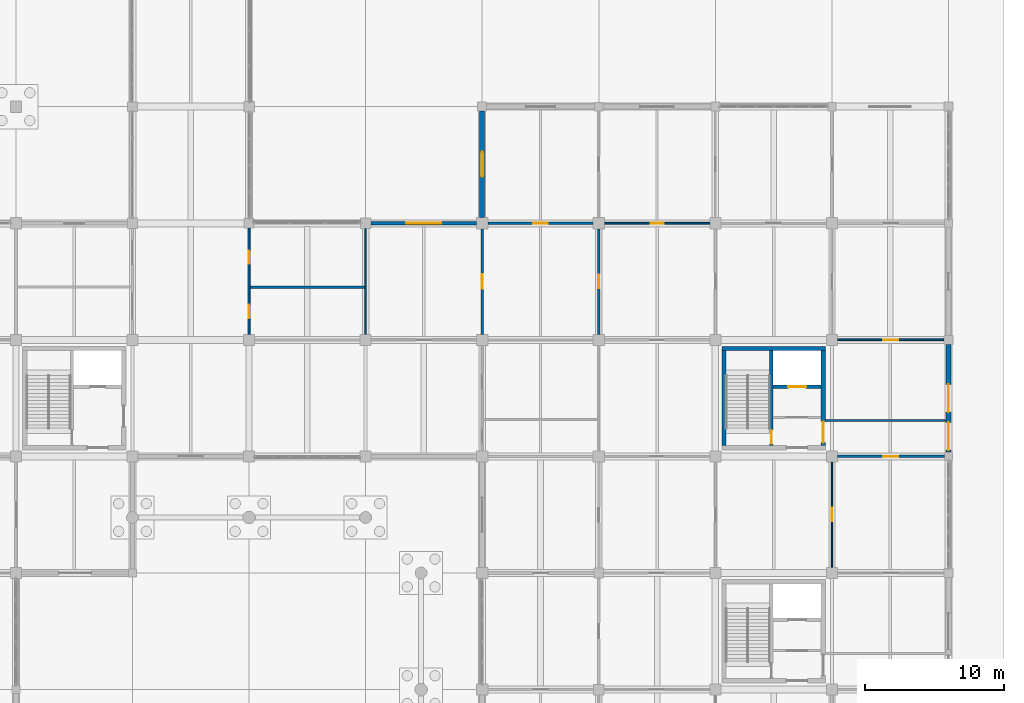
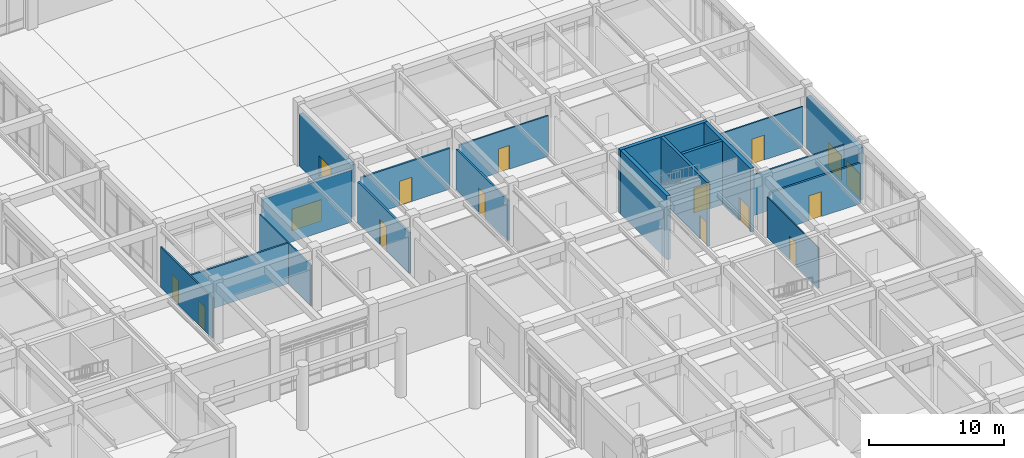
# One storey, part 80 of 91: 19 walls, 14 doors, 2 windows, 16 openings.
"""IFC4 building model written with IfcOpenShell, lengths in metres."""

from ifc_helpers import new_model, si_unit, direction, frame, frame_2d, origin, place, context, subcontext, project, spatial, rectangle, extrude, material, layer, layer_set, type_object, element, fill, save


model = new_model("IFC4")

# Units and contexts
model_context = context("Model", 3, precision=1e-05, world=origin(), true_north=direction((0.0, 1.0)))
body_context = subcontext(model_context, "Body", "Model", "MODEL_VIEW")
ifc_project = project(units=[si_unit("LENGTHUNIT", "METRE"), si_unit("AREAUNIT", "SQUARE_METRE"), si_unit("VOLUMEUNIT", "CUBIC_METRE"), si_unit("PLANEANGLEUNIT", "RADIAN"), si_unit("MASSUNIT", "GRAM", prefix="KILO")], contexts=[model_context])

# Site, building, storey
site_placement = place(None, origin())
site = spatial("IfcSite", under=ifc_project, at=site_placement, CompositionType="ELEMENT")
building_placement = place(site_placement, origin())
building = spatial("IfcBuilding", under=site, at=building_placement, Name="Porcellanite Civic Hall", CompositionType="ELEMENT")
storey_placement = place(building_placement, origin())
storey = spatial("IfcBuildingStorey", under=building, at=storey_placement, Name="L00", CompositionType="ELEMENT", Elevation=0.0)

# Wall, opening, door
ifc_material_1 = material(Name="Concrete N40 (40 MPa)", Category="concrete")
ifc_layer_1 = layer(ifc_material_1, 0.239990234375)
ifc_layer_set_1 = layer_set([ifc_layer_1], Name="Concrete N40 (40 MPa)")
wall_type_1 = type_object("IfcWallType", Name="CW-SH240", PredefinedType="SHEAR", material=ifc_layer_set_1)
wall_1_placement = place(storey_placement, frame((163.639892578125, 51.179931640625, 0.0), z_axis=(0.0, 0.0, 1.0), x_axis=(0.0, 1.0, 0.0)))
wall_1 = element("IfcWall", 1, at=wall_1_placement, inside=storey, type_object=wall_type_1, Name="Core divider C8 L00", PredefinedType="SHEAR", context=body_context, shape_type="SweptSolid", body=[
    extrude(rectangle(XDim=6.840087890625, YDim=0.239990234375, at=frame_2d((3.419921875, 0.0))), origin(), (0.0, 0.0, 1.0), 5.760009765625),
])
opening_1_placement = place(wall_1_placement, frame((0.1201171875, 0.0, 0.0)))
opening_1 = element("IfcOpeningElement", 2, at=opening_1_placement, cuts=wall_1, Name="Opening FD-C8-L00-ST", PredefinedType="OPENING", context=body_context, shape_type="SweptSolid", body=[
    extrude(rectangle(XDim=1.0, YDim=2.14990234375, at=frame_2d((0.5, 1.074951171875))), frame((0.0, 0.1201171875, 0.0), z_axis=(0.0, -1.0, 0.0), x_axis=(1.0, 0.0, 0.0)), (0.0, 0.0, 1.0), 0.239990234375),
])
ifc_material_2 = material(Name="Fire-rated solid-core hardwood timber", Category="wood")
door_type_1 = type_object("IfcDoorType", Name="DR-FD100", OperationType="NOTDEFINED", PredefinedType="DOOR", material=ifc_material_2)
door_1_placement = place(opening_1_placement, origin())
door_1 = element("IfcDoor", 3, at=door_1_placement, inside=storey, type_object=door_type_1, Name="Fire stair door FD-C8-L00-ST", OperationType="SINGLE_SWING_LEFT", OverallHeight=2.14990234375, OverallWidth=1.0, PredefinedType="DOOR", context=body_context, shape_type="SweptSolid", body=[
    extrude(rectangle(XDim=1.0, YDim=2.14990234375, at=frame_2d((0.5, 1.074951171875))), frame((0.0, 0.02490234375, 0.0), z_axis=(0.0, -1.0, 0.0), x_axis=(1.0, 0.0, 0.0)), (0.0, 0.0, 1.0), 0.050048828125),
])
fill(opening_1, door_1)

wall_2_placement = place(storey_placement, frame((163.760009765625, 55.419921875, 0.0), z_axis=(0.0, 0.0, 1.0), x_axis=(1.0, 0.0, 0.0)))
wall_2 = element("IfcWall", 4, at=wall_2_placement, inside=storey, type_object=wall_type_1, Name="Lift shaft wall C8 L00", PredefinedType="SHEAR", context=body_context, shape_type="SweptSolid", body=[
    extrude(rectangle(XDim=3.4599609375, YDim=0.239990234375, at=frame_2d((1.72998046875, 0.0))), origin(), (0.0, 0.0, 1.0), 5.760009765625),
])
opening_2_placement = place(wall_2_placement, frame((1.080078125, 0.0, 0.0)))
opening_2 = element("IfcOpeningElement", 5, at=opening_2_placement, cuts=wall_2, Name="Opening LD-08", PredefinedType="OPENING", context=body_context, shape_type="SweptSolid", body=[
    extrude(rectangle(XDim=1.300048828125, YDim=2.25, at=frame_2d((0.64990234375, 1.125))), frame((0.0, 0.1201171875, 0.0), z_axis=(0.0, -1.0, 0.0), x_axis=(1.0, 0.0, 0.0)), (0.0, 0.0, 1.0), 0.239990234375),
])
ifc_material_3 = material(Name="Brushed stainless steel 316", Category="steel")
door_type_2 = type_object("IfcDoorType", Name="DR-LD130", OperationType="DOUBLE_DOOR_SLIDING", PredefinedType="DOOR", material=ifc_material_3)
door_2_placement = place(opening_2_placement, origin())
door_2 = element("IfcDoor", 6, at=door_2_placement, inside=storey, type_object=door_type_2, Name="Lift landing sliding door LD-08 L00", OperationType="DOUBLE_DOOR_SLIDING", OverallHeight=2.25, OverallWidth=1.300048828125, PredefinedType="DOOR", context=body_context, shape_type="SweptSolid", body=[
    extrude(rectangle(XDim=1.300048828125, YDim=2.25, at=frame_2d((0.64990234375, 1.125))), frame((0.0, 0.02490234375, 0.0), z_axis=(0.0, -1.0, 0.0), x_axis=(1.0, 0.0, 0.0)), (0.0, 0.0, 1.0), 0.050048828125),
])
fill(opening_2, door_2)

# Walls
ifc_material_4 = material(Name="Concrete N40 (40 MPa)", Category="concrete")
ifc_layer_2 = layer(ifc_material_4, 0.300048828125)
ifc_layer_set_2 = layer_set([ifc_layer_2], Name="Concrete N40 (40 MPa)")
wall_type_2 = type_object("IfcWallType", Name="CW-SH300", PredefinedType="SHEAR", material=ifc_layer_set_2)
wall_3_placement = place(storey_placement, frame((160.22998046875, 51.179931640625, 0.0), z_axis=(0.0, 0.0, 1.0), x_axis=(0.0, 1.0, 0.0)))
element("IfcWall", 7, at=wall_3_placement, inside=storey, type_object=wall_type_2, Name="Core wall C8 L00 W", PredefinedType="SHEAR", context=body_context, shape_type="SweptSolid", body=[
    extrude(rectangle(XDim=6.840087890625, YDim=0.300048828125, at=frame_2d((3.419921875, 0.0))), origin(), (0.0, 0.0, 1.0), 5.760009765625),
])
wall_4_placement = place(storey_placement, frame((160.080078125, 58.169921875, 0.0), z_axis=(0.0, 0.0, 1.0), x_axis=(1.0, 0.0, 0.0)))
element("IfcWall", 8, at=wall_4_placement, inside=storey, type_object=wall_type_2, Name="Core wall C8 L00 N", PredefinedType="SHEAR", context=body_context, shape_type="SweptSolid", body=[
    extrude(rectangle(XDim=7.43994140625, YDim=0.300048828125, at=frame_2d((3.719970703125, 0.0))), origin(), (0.0, 0.0, 1.0), 5.760009765625),
])

# Wall, opening, door
wall_5_placement = place(storey_placement, frame((167.3701171875, 58.02001953125, 0.0), z_axis=(0.0, 0.0, 1.0), x_axis=(0.0, -1.0, 0.0)))
wall_5 = element("IfcWall", 9, at=wall_5_placement, inside=storey, type_object=wall_type_2, Name="Core wall C8 L00 E", PredefinedType="SHEAR", context=body_context, shape_type="SweptSolid", body=[
    extrude(rectangle(XDim=6.840087890625, YDim=0.300048828125, at=frame_2d((3.419921875, 0.0))), origin(), (0.0, 0.0, 1.0), 5.760009765625),
])
opening_3_placement = place(wall_5_placement, frame((5.1201171875, 0.0, 0.0)))
opening_3 = element("IfcOpeningElement", 10, at=opening_3_placement, cuts=wall_5, Name="Opening FD-C8-L00-EX", PredefinedType="OPENING", context=body_context, shape_type="SweptSolid", body=[
    extrude(rectangle(XDim=1.5, YDim=2.14990234375, at=frame_2d((0.75, 1.074951171875))), frame((0.0, 0.14990234375, 0.0), z_axis=(0.0, -1.0, 0.0), x_axis=(1.0, 0.0, 0.0)), (0.0, 0.0, 1.0), 0.300048828125),
])
ifc_material_5 = material(Name="Fire-rated steel and Georgian wired glass", Category="steel")
door_type_3 = type_object("IfcDoorType", Name="DR-FD150", OperationType="DOUBLE_DOOR_SINGLE_SWING", PredefinedType="DOOR", material=ifc_material_5)
door_3_placement = place(opening_3_placement, origin())
door_3 = element("IfcDoor", 11, at=door_3_placement, inside=storey, type_object=door_type_3, Name="Fire vestibule exit door FD-C8-L00-EX", OperationType="DOUBLE_DOOR_SINGLE_SWING", OverallHeight=2.14990234375, OverallWidth=1.5, PredefinedType="DOOR", context=body_context, shape_type="SweptSolid", body=[
    extrude(rectangle(XDim=1.5, YDim=2.14990234375, at=frame_2d((0.75, 1.074951171875))), frame((0.0, 0.02490234375, 0.0), z_axis=(0.0, -1.0, 0.0), x_axis=(1.0, 0.0, 0.0)), (0.0, 0.0, 1.0), 0.050048828125),
])
fill(opening_3, door_3)

# Wall, opening, window
ifc_material_6 = material(Name="Precast concrete N40 (40 MPa)", Category="concrete")
ifc_layer_3 = layer(ifc_material_6, 0.280029296875)
ifc_layer_set_3 = layer_set([ifc_layer_3], Name="Precast concrete N40 (40 MPa)")
wall_type_3 = type_object("IfcWallType", Name="EW-CLO280", PredefinedType="SOLIDWALL", material=ifc_layer_set_3)
wall_6_placement = place(storey_placement, frame((134.77587890625, 67.199951171875, 0.0), z_axis=(0.0, 0.0, 1.0), x_axis=(1.0, 0.0, 0.0)))
wall_6 = element("IfcWall", 12, at=wall_6_placement, inside=storey, type_object=wall_type_3, Name="Exterior wall L00 N 17-8", PredefinedType="SOLIDWALL", context=body_context, shape_type="SweptSolid", body=[
    extrude(rectangle(XDim=7.623046875, YDim=0.280029296875, at=frame_2d((3.8115234375, 0.0))), origin(), (0.0, 0.0, 1.0), 4.699951171875),
])
opening_4_placement = place(wall_6_placement, frame((2.537109375, 0.0, 0.89990234375)))
opening_4 = element("IfcOpeningElement", 13, at=opening_4_placement, cuts=wall_6, Name="Opening W33", PredefinedType="OPENING", context=body_context, shape_type="SweptSolid", body=[
    extrude(rectangle(XDim=2.550048828125, YDim=1.949951171875, at=frame_2d((1.27490234375, 0.97509765625))), frame((0.0, 0.14013671875, 0.0), z_axis=(0.0, -1.0, 0.0), x_axis=(1.0, 0.0, 0.0)), (0.0, 0.0, 1.0), 0.280029296875),
])
ifc_material_7 = material(Name="Cyclone laminated low-E glazing in anodised aluminium frame", Category="aluminium")
window_type_1 = type_object("IfcWindowType", Name="WN-33", PartitioningType="TRIPLE_PANEL_VERTICAL", PredefinedType="WINDOW", material=ifc_material_7)
window_1_placement = place(opening_4_placement, origin())
window_1 = element("IfcWindow", 14, at=window_1_placement, inside=storey, type_object=window_type_1, Name="Window W33 L00 N 17-8", OverallHeight=1.949951171875, OverallWidth=2.550048828125, PartitioningType="SINGLE_PANEL", PredefinedType="WINDOW", context=body_context, shape_type="SweptSolid", body=[
    extrude(rectangle(XDim=2.550048828125, YDim=1.949951171875, at=frame_2d((1.27490234375, 0.97509765625))), frame((0.0, 0.030029296875, 0.0), z_axis=(0.0, -1.0, 0.0), x_axis=(1.0, 0.0, 0.0)), (0.0, 0.0, 1.0), 0.06005859375),
])
fill(opening_4, window_1)

ifc_material_8 = material(Name="Precast concrete N40 (40 MPa)", Category="concrete")
ifc_layer_4 = layer(ifc_material_8, 0.360107421875)
ifc_layer_set_4 = layer_set([ifc_layer_4], Name="Precast concrete N40 (40 MPa)")
wall_type_4 = type_object("IfcWallType", Name="EW-LIB360", PredefinedType="SOLIDWALL", material=ifc_layer_set_4)
wall_7_placement = place(storey_placement, frame((142.800048828125, 67.60107421875, 0.0), z_axis=(0.0, 0.0, 1.0), x_axis=(0.0, 1.0, 0.0)))
wall_7 = element("IfcWall", 15, at=wall_7_placement, inside=storey, type_object=wall_type_4, Name="Exterior wall L00 W 18-9", PredefinedType="SOLIDWALL", context=body_context, shape_type="SweptSolid", body=[
    extrude(rectangle(XDim=7.6728515625, YDim=0.360107421875, at=frame_2d((3.83642578125, 0.0))), origin(), (0.0, 0.0, 1.0), 4.699951171875),
])
opening_5_placement = place(wall_7_placement, frame((2.93701171875, 0.0, 0.89990234375)))
opening_5 = element("IfcOpeningElement", 16, at=opening_5_placement, cuts=wall_7, Name="Opening W01", PredefinedType="OPENING", context=body_context, shape_type="SweptSolid", body=[
    extrude(rectangle(XDim=1.800048828125, YDim=1.800048828125, at=frame_2d((0.89990234375, 0.89990234375))), frame((0.0, 0.18017578125, 0.0), z_axis=(0.0, -1.0, 0.0), x_axis=(1.0, 0.0, 0.0)), (0.0, 0.0, 1.0), 0.360107421875),
])
ifc_material_9 = material(Name="Cyclone laminated low-E glazing in anodised aluminium frame", Category="aluminium")
window_type_2 = type_object("IfcWindowType", Name="WN-01", PartitioningType="DOUBLE_PANEL_VERTICAL", PredefinedType="WINDOW", material=ifc_material_9)
window_2_placement = place(opening_5_placement, origin())
window_2 = element("IfcWindow", 17, at=window_2_placement, inside=storey, type_object=window_type_2, Name="Window W01 L00 W 18-9", OverallHeight=1.800048828125, OverallWidth=1.800048828125, PartitioningType="SINGLE_PANEL", PredefinedType="WINDOW", context=body_context, shape_type="SweptSolid", body=[
    extrude(rectangle(XDim=1.800048828125, YDim=1.800048828125, at=frame_2d((0.89990234375, 0.89990234375))), frame((0.0, 0.030029296875, 0.0), z_axis=(0.0, -1.0, 0.0), x_axis=(1.0, 0.0, 0.0)), (0.0, 0.0, 1.0), 0.06005859375),
])
fill(opening_5, window_2)

# Wall, openings, doors
wall_8_placement = place(storey_placement, frame((176.39990234375, 58.47412109375, 0.0), z_axis=(0.0, 0.0, 1.0), x_axis=(0.0, -1.0, 0.0)))
wall_8 = element("IfcWall", 18, at=wall_8_placement, inside=storey, type_object=wall_type_4, Name="Exterior wall L00 E 21-7", PredefinedType="SOLIDWALL", context=body_context, shape_type="SweptSolid", body=[
    extrude(rectangle(XDim=7.773193359375, YDim=0.360107421875, at=frame_2d((3.88671875, 0.0))), origin(), (0.0, 0.0, 1.0), 4.699951171875),
])
opening_6_placement = place(wall_8_placement, frame((2.885986328125, 0.0, 0.0)))
opening_6 = element("IfcOpeningElement", 19, at=opening_6_placement, cuts=wall_8, Name="Opening ED-15", PredefinedType="OPENING", context=body_context, shape_type="SweptSolid", body=[
    extrude(rectangle(XDim=2.0, YDim=2.25, at=frame_2d((1.0, 1.125))), frame((0.0, 0.18017578125, 0.0), z_axis=(0.0, -1.0, 0.0), x_axis=(1.0, 0.0, 0.0)), (0.0, 0.0, 1.0), 0.360107421875),
])
opening_7_placement = place(wall_8_placement, frame((5.6240234375, 0.0, 0.0)))
opening_7 = element("IfcOpeningElement", 20, at=opening_7_placement, cuts=wall_8, Name="Opening ED-24", PredefinedType="OPENING", context=body_context, shape_type="SweptSolid", body=[
    extrude(rectangle(XDim=2.0, YDim=2.25, at=frame_2d((1.0, 1.125))), frame((0.0, 0.18017578125, 0.0), z_axis=(0.0, -1.0, 0.0), x_axis=(1.0, 0.0, 0.0)), (0.0, 0.0, 1.0), 0.360107421875),
])
ifc_material_10 = material(Name="Anodised aluminium and laminated safety glass", Category="aluminium")
door_type_4 = type_object("IfcDoorType", Name="DR-EXIT180", OperationType="DOUBLE_DOOR_SINGLE_SWING", PredefinedType="DOOR", material=ifc_material_10)
door_4_placement = place(opening_6_placement, origin())
door_4 = element("IfcDoor", 21, at=door_4_placement, inside=storey, type_object=door_type_4, Name="Pedestrian final exit door ED-15", OperationType="DOUBLE_DOOR_SINGLE_SWING", OverallHeight=2.25, OverallWidth=2.0, PredefinedType="DOOR", context=body_context, shape_type="SweptSolid", body=[
    extrude(rectangle(XDim=2.0, YDim=2.25, at=frame_2d((1.0, 1.125))), frame((0.0, 0.02490234375, 0.0), z_axis=(0.0, -1.0, 0.0), x_axis=(1.0, 0.0, 0.0)), (0.0, 0.0, 1.0), 0.050048828125),
])
fill(opening_6, door_4)
door_5_placement = place(opening_7_placement, origin())
door_5 = element("IfcDoor", 22, at=door_5_placement, inside=storey, type_object=door_type_4, Name="Pedestrian final exit door ED-24", OperationType="DOUBLE_DOOR_SINGLE_SWING", OverallHeight=2.25, OverallWidth=2.0, PredefinedType="DOOR", context=body_context, shape_type="SweptSolid", body=[
    extrude(rectangle(XDim=2.0, YDim=2.25, at=frame_2d((1.0, 1.125))), frame((0.0, 0.02490234375, 0.0), z_axis=(0.0, -1.0, 0.0), x_axis=(1.0, 0.0, 0.0)), (0.0, 0.0, 1.0), 0.050048828125),
])
fill(opening_7, door_5)

# Wall
ifc_material_11 = material(Name="Fire-rated plasterboard on light-gauge steel studs", Category="steel")
ifc_layer_5 = layer(ifc_material_11, 0.14794921875)
ifc_layer_set_5 = layer_set([ifc_layer_5], Name="Fire-rated plasterboard on light-gauge steel studs")
wall_type_5 = type_object("IfcWallType", Name="IW-FR148", PredefinedType="PARTITIONING", material=ifc_layer_set_5)
wall_9_placement = place(storey_placement, frame((167.52001953125, 52.993896484375, 0.0), z_axis=(0.0, 0.0, 1.0), x_axis=(1.0, 0.0, 0.0)))
element("IfcWall", 23, at=wall_9_placement, inside=storey, type_object=wall_type_5, Name="Exit passage wall ST-08 L00", PredefinedType="PARTITIONING", context=body_context, shape_type="SweptSolid", body=[
    extrude(rectangle(XDim=8.699951171875, YDim=0.14794921875, at=frame_2d((4.35009765625, 0.0))), origin(), (0.0, 0.0, 1.0), 3.659912109375),
])

# Wall, opening, door
ifc_material_12 = material(Name="Insulated acoustic plasterboard on light-gauge steel studs", Category="steel")
ifc_layer_6 = layer(ifc_material_12, 0.087890625)
ifc_layer_set_6 = layer_set([ifc_layer_6], Name="Insulated acoustic plasterboard on light-gauge steel studs")
wall_type_6 = type_object("IfcWallType", Name="IW-PT088", PredefinedType="PARTITIONING", material=ifc_layer_set_6)
wall_10_placement = place(storey_placement, frame((168.0, 42.402099609375, 0.0), z_axis=(0.0, 0.0, 1.0), x_axis=(0.0, 1.0, 0.0)))
wall_10 = element("IfcWall", 24, at=wall_10_placement, inside=storey, type_object=wall_type_6, Name="Partition L00 V 20-6", PredefinedType="PARTITIONING", context=body_context, shape_type="SweptSolid", body=[
    extrude(rectangle(XDim=7.595947265625, YDim=0.087890625, at=frame_2d((3.7978515625, 0.0))), origin(), (0.0, 0.0, 1.0), 3.659912109375),
])
opening_8_placement = place(wall_10_placement, frame((3.31298828125, 0.0, 0.0)))
opening_8 = element("IfcOpeningElement", 25, at=opening_8_placement, cuts=wall_10, Name="Opening D-L00-089", PredefinedType="OPENING", context=body_context, shape_type="SweptSolid", body=[
    extrude(rectangle(XDim=0.969970703125, YDim=2.1201171875, at=frame_2d((0.48486328125, 1.06005859375))), frame((0.0, 0.0439453125, 0.0), z_axis=(0.0, -1.0, 0.0), x_axis=(1.0, 0.0, 0.0)), (0.0, 0.0, 1.0), 0.087890625),
])
ifc_material_13 = material(Name="Solid-core spotted-gum timber", Category="wood")
door_type_5 = type_object("IfcDoorType", Name="DR-RM097", OperationType="NOTDEFINED", PredefinedType="DOOR", material=ifc_material_13)
door_6_placement = place(opening_8_placement, origin())
door_6 = element("IfcDoor", 26, at=door_6_placement, inside=storey, type_object=door_type_5, Name="Interior door D-L00-089", OperationType="SINGLE_SWING_RIGHT", OverallHeight=2.1201171875, OverallWidth=0.969970703125, PredefinedType="DOOR", context=body_context, shape_type="SweptSolid", body=[
    extrude(rectangle(XDim=0.969970703125, YDim=2.1201171875, at=frame_2d((0.48486328125, 1.06005859375))), frame((0.0, 0.02490234375, 0.0), z_axis=(0.0, -1.0, 0.0), x_axis=(1.0, 0.0, 0.0)), (0.0, 0.0, 1.0), 0.050048828125),
])
fill(opening_8, door_6)

# Wall
ifc_material_14 = material(Name="Insulated acoustic plasterboard on light-gauge steel studs", Category="steel")
ifc_layer_7 = layer(ifc_material_14, 0.10498046875)
ifc_layer_set_7 = layer_set([ifc_layer_7], Name="Insulated acoustic plasterboard on light-gauge steel studs")
wall_type_7 = type_object("IfcWallType", Name="IW-PT105", PredefinedType="PARTITIONING", material=ifc_layer_set_7)
wall_11_placement = place(storey_placement, frame((134.39990234375, 59.201904296875, 0.0), z_axis=(0.0, 0.0, 1.0), x_axis=(0.0, 1.0, 0.0)))
element("IfcWall", 27, at=wall_11_placement, inside=storey, type_object=wall_type_7, Name="Partition L00 V 16-8", PredefinedType="PARTITIONING", context=body_context, shape_type="SweptSolid", body=[
    extrude(rectangle(XDim=7.62109375, YDim=0.10498046875, at=frame_2d((3.810546875, 0.0))), origin(), (0.0, 0.0, 1.0), 3.659912109375),
])

# Wall, opening, door
ifc_material_15 = material(Name="Insulated acoustic plasterboard on light-gauge steel studs", Category="steel")
ifc_layer_8 = layer(ifc_material_15, 0.125)
ifc_layer_set_8 = layer_set([ifc_layer_8], Name="Insulated acoustic plasterboard on light-gauge steel studs")
wall_type_8 = type_object("IfcWallType", Name="IW-PT125", PredefinedType="PARTITIONING", material=ifc_layer_set_8)
wall_12_placement = place(storey_placement, frame((168.402099609375, 58.800048828125, 0.0), z_axis=(0.0, 0.0, 1.0), x_axis=(1.0, 0.0, 0.0)))
wall_12 = element("IfcWall", 28, at=wall_12_placement, inside=storey, type_object=wall_type_8, Name="Partition L00 H 21-7", PredefinedType="PARTITIONING", context=body_context, shape_type="SweptSolid", body=[
    extrude(rectangle(XDim=7.6708984375, YDim=0.125, at=frame_2d((3.83544921875, 0.0))), origin(), (0.0, 0.0, 1.0), 3.659912109375),
])
opening_9_placement = place(wall_12_placement, frame((3.305908203125, 0.0, 0.0)))
opening_9 = element("IfcOpeningElement", 29, at=opening_9_placement, cuts=wall_12, Name="Opening D-L00-118", PredefinedType="OPENING", context=body_context, shape_type="SweptSolid", body=[
    extrude(rectangle(XDim=1.06005859375, YDim=2.25, at=frame_2d((0.530029296875, 1.125))), frame((0.0, 0.0625, 0.0), z_axis=(0.0, -1.0, 0.0), x_axis=(1.0, 0.0, 0.0)), (0.0, 0.0, 1.0), 0.125),
])
ifc_material_16 = material(Name="Solid-core spotted-gum timber", Category="wood")
door_type_6 = type_object("IfcDoorType", Name="DR-RM106", OperationType="NOTDEFINED", PredefinedType="DOOR", material=ifc_material_16)
door_7_placement = place(opening_9_placement, origin())
door_7 = element("IfcDoor", 30, at=door_7_placement, inside=storey, type_object=door_type_6, Name="Interior door D-L00-118", OperationType="SINGLE_SWING_LEFT", OverallHeight=2.25, OverallWidth=1.06005859375, PredefinedType="DOOR", context=body_context, shape_type="SweptSolid", body=[
    extrude(rectangle(XDim=1.06005859375, YDim=2.25, at=frame_2d((0.530029296875, 1.125))), frame((0.0, 0.02490234375, 0.0), z_axis=(0.0, -1.0, 0.0), x_axis=(1.0, 0.0, 0.0)), (0.0, 0.0, 1.0), 0.050048828125),
])
fill(opening_9, door_7)

ifc_material_17 = material(Name="Insulated acoustic plasterboard on light-gauge steel studs", Category="steel")
ifc_layer_9 = layer(ifc_material_17, 0.135009765625)
ifc_layer_set_9 = layer_set([ifc_layer_9], Name="Insulated acoustic plasterboard on light-gauge steel studs")
wall_type_9 = type_object("IfcWallType", Name="IW-PT135", PredefinedType="PARTITIONING", material=ifc_layer_set_9)
wall_13_placement = place(storey_placement, frame((151.60205078125, 67.199951171875, 0.0), z_axis=(0.0, 0.0, 1.0), x_axis=(1.0, 0.0, 0.0)))
wall_13 = element("IfcWall", 31, at=wall_13_placement, inside=storey, type_object=wall_type_9, Name="Partition L00 H 19-8", PredefinedType="PARTITIONING", context=body_context, shape_type="SweptSolid", body=[
    extrude(rectangle(XDim=7.595947265625, YDim=0.135009765625, at=frame_2d((3.7978515625, 0.0))), origin(), (0.0, 0.0, 1.0), 3.659912109375),
])
opening_10_placement = place(wall_13_placement, frame((3.327880859375, 0.0, 0.0)))
opening_10 = element("IfcOpeningElement", 32, at=opening_10_placement, cuts=wall_13, Name="Opening D-L00-111", PredefinedType="OPENING", context=body_context, shape_type="SweptSolid", body=[
    extrude(rectangle(XDim=0.93994140625, YDim=2.14990234375, at=frame_2d((0.469970703125, 1.074951171875))), frame((0.0, 0.0673828125, 0.0), z_axis=(0.0, -1.0, 0.0), x_axis=(1.0, 0.0, 0.0)), (0.0, 0.0, 1.0), 0.135009765625),
])
ifc_material_18 = material(Name="Solid-core spotted-gum timber", Category="wood")
door_type_7 = type_object("IfcDoorType", Name="DR-RM094", OperationType="NOTDEFINED", PredefinedType="DOOR", material=ifc_material_18)
door_8_placement = place(opening_10_placement, origin())
door_8 = element("IfcDoor", 33, at=door_8_placement, inside=storey, type_object=door_type_7, Name="Interior door D-L00-111", OperationType="SINGLE_SWING_RIGHT", OverallHeight=2.14990234375, OverallWidth=0.93994140625, PredefinedType="DOOR", context=body_context, shape_type="SweptSolid", body=[
    extrude(rectangle(XDim=0.93994140625, YDim=2.14990234375, at=frame_2d((0.469970703125, 1.074951171875))), frame((0.0, 0.02490234375, 0.0), z_axis=(0.0, -1.0, 0.0), x_axis=(1.0, 0.0, 0.0)), (0.0, 0.0, 1.0), 0.050048828125),
])
fill(opening_10, door_8)

# Wall, openings, doors
wall_14_placement = place(storey_placement, frame((126.0, 59.201904296875, 0.0), z_axis=(0.0, 0.0, 1.0), x_axis=(0.0, 1.0, 0.0)))
wall_14 = element("IfcWall", 34, at=wall_14_placement, inside=storey, type_object=wall_type_9, Name="Partition L00 V 15-8", PredefinedType="PARTITIONING", context=body_context, shape_type="SweptSolid", body=[
    extrude(rectangle(XDim=7.64599609375, YDim=0.135009765625, at=frame_2d((3.822998046875, 0.0))), origin(), (0.0, 0.0, 1.0), 3.659912109375),
])
opening_11_placement = place(wall_14_placement, frame((1.153076171875, 0.0, 0.0)))
opening_11 = element("IfcOpeningElement", 35, at=opening_11_placement, cuts=wall_14, Name="Opening D-L00-037", PredefinedType="OPENING", context=body_context, shape_type="SweptSolid", body=[
    extrude(rectangle(XDim=0.969970703125, YDim=2.1201171875, at=frame_2d((0.48486328125, 1.06005859375))), frame((0.0, 0.0673828125, 0.0), z_axis=(0.0, -1.0, 0.0), x_axis=(1.0, 0.0, 0.0)), (0.0, 0.0, 1.0), 0.135009765625),
])
opening_12_placement = place(wall_14_placement, frame((5.093017578125, 0.0, 0.0)))
opening_12 = element("IfcOpeningElement", 36, at=opening_12_placement, cuts=wall_14, Name="Opening D-L00-038", PredefinedType="OPENING", context=body_context, shape_type="SweptSolid", body=[
    extrude(rectangle(XDim=0.929931640625, YDim=2.1201171875, at=frame_2d((0.46484375, 1.06005859375))), frame((0.0, 0.0673828125, 0.0), z_axis=(0.0, -1.0, 0.0), x_axis=(1.0, 0.0, 0.0)), (0.0, 0.0, 1.0), 0.135009765625),
])
ifc_material_19 = material(Name="Solid-core spotted-gum timber", Category="wood")
door_type_8 = type_object("IfcDoorType", Name="DR-RM093", OperationType="NOTDEFINED", PredefinedType="DOOR", material=ifc_material_19)
door_9_placement = place(opening_12_placement, origin())
door_9 = element("IfcDoor", 37, at=door_9_placement, inside=storey, type_object=door_type_8, Name="Interior door D-L00-038", OperationType="SINGLE_SWING_RIGHT", OverallHeight=2.1201171875, OverallWidth=0.929931640625, PredefinedType="DOOR", context=body_context, shape_type="SweptSolid", body=[
    extrude(rectangle(XDim=0.929931640625, YDim=2.1201171875, at=frame_2d((0.46484375, 1.06005859375))), frame((0.0, 0.02490234375, 0.0), z_axis=(0.0, -1.0, 0.0), x_axis=(1.0, 0.0, 0.0)), (0.0, 0.0, 1.0), 0.050048828125),
])
fill(opening_12, door_9)
door_10_placement = place(opening_11_placement, origin())
door_10 = element("IfcDoor", 38, at=door_10_placement, inside=storey, type_object=door_type_5, Name="Interior door D-L00-037", OperationType="SINGLE_SWING_LEFT", OverallHeight=2.1201171875, OverallWidth=0.969970703125, PredefinedType="DOOR", context=body_context, shape_type="SweptSolid", body=[
    extrude(rectangle(XDim=0.969970703125, YDim=2.1201171875, at=frame_2d((0.48486328125, 1.06005859375))), frame((0.0, 0.02490234375, 0.0), z_axis=(0.0, -1.0, 0.0), x_axis=(1.0, 0.0, 0.0)), (0.0, 0.0, 1.0), 0.050048828125),
])
fill(opening_11, door_10)

# Wall, opening, door
ifc_material_20 = material(Name="Insulated acoustic plasterboard on light-gauge steel studs", Category="steel")
ifc_layer_10 = layer(ifc_material_20, 0.1650390625)
ifc_layer_set_10 = layer_set([ifc_layer_10], Name="Insulated acoustic plasterboard on light-gauge steel studs")
wall_type_10 = type_object("IfcWallType", Name="IW-PT165", PredefinedType="PARTITIONING", material=ifc_layer_set_10)
wall_15_placement = place(storey_placement, frame((143.201904296875, 67.199951171875, 0.0), z_axis=(0.0, 0.0, 1.0), x_axis=(1.0, 0.0, 0.0)))
wall_15 = element("IfcWall", 39, at=wall_15_placement, inside=storey, type_object=wall_type_10, Name="Partition L00 H 18-8", PredefinedType="PARTITIONING", context=body_context, shape_type="SweptSolid", body=[
    extrude(rectangle(XDim=7.59619140625, YDim=0.1650390625, at=frame_2d((3.798095703125, 0.0))), origin(), (0.0, 0.0, 1.0), 3.659912109375),
])
opening_13_placement = place(wall_15_placement, frame((3.278076171875, 0.0, 0.0)))
opening_13 = element("IfcOpeningElement", 40, at=opening_13_placement, cuts=wall_15, Name="Opening D-L00-106", PredefinedType="OPENING", context=body_context, shape_type="SweptSolid", body=[
    extrude(rectangle(XDim=1.0400390625, YDim=2.199951171875, at=frame_2d((0.52001953125, 1.10009765625))), frame((0.0, 0.08251953125, 0.0), z_axis=(0.0, -1.0, 0.0), x_axis=(1.0, 0.0, 0.0)), (0.0, 0.0, 1.0), 0.1650390625),
])
ifc_material_21 = material(Name="Solid-core spotted-gum timber", Category="wood")
door_type_9 = type_object("IfcDoorType", Name="DR-RM104", OperationType="NOTDEFINED", PredefinedType="DOOR", material=ifc_material_21)
door_11_placement = place(opening_13_placement, origin())
door_11 = element("IfcDoor", 41, at=door_11_placement, inside=storey, type_object=door_type_9, Name="Interior door D-L00-106", OperationType="SINGLE_SWING_LEFT", OverallHeight=2.199951171875, OverallWidth=1.0400390625, PredefinedType="DOOR", context=body_context, shape_type="SweptSolid", body=[
    extrude(rectangle(XDim=1.0400390625, YDim=2.199951171875, at=frame_2d((0.52001953125, 1.10009765625))), frame((0.0, 0.02490234375, 0.0), z_axis=(0.0, -1.0, 0.0), x_axis=(1.0, 0.0, 0.0)), (0.0, 0.0, 1.0), 0.050048828125),
])
fill(opening_13, door_11)

wall_16_placement = place(storey_placement, frame((151.199951171875, 59.201904296875, 0.0), z_axis=(0.0, 0.0, 1.0), x_axis=(0.0, 1.0, 0.0)))
wall_16 = element("IfcWall", 42, at=wall_16_placement, inside=storey, type_object=wall_type_10, Name="Partition L00 V 18-8", PredefinedType="PARTITIONING", context=body_context, shape_type="SweptSolid", body=[
    extrude(rectangle(XDim=7.59619140625, YDim=0.1650390625, at=frame_2d((3.798095703125, 0.0))), origin(), (0.0, 0.0, 1.0), 3.659912109375),
])
opening_14_placement = place(wall_16_placement, frame((3.318115234375, 0.0, 0.0)))
opening_14 = element("IfcOpeningElement", 43, at=opening_14_placement, cuts=wall_16, Name="Opening D-L00-162", PredefinedType="OPENING", context=body_context, shape_type="SweptSolid", body=[
    extrude(rectangle(XDim=0.9599609375, YDim=2.179931640625, at=frame_2d((0.47998046875, 1.08984375))), frame((0.0, 0.08251953125, 0.0), z_axis=(0.0, -1.0, 0.0), x_axis=(1.0, 0.0, 0.0)), (0.0, 0.0, 1.0), 0.1650390625),
])
ifc_material_22 = material(Name="Solid-core spotted-gum timber", Category="wood")
door_type_10 = type_object("IfcDoorType", Name="DR-RM096", OperationType="NOTDEFINED", PredefinedType="DOOR", material=ifc_material_22)
door_12_placement = place(opening_14_placement, origin())
door_12 = element("IfcDoor", 44, at=door_12_placement, inside=storey, type_object=door_type_10, Name="Interior door D-L00-162", OperationType="SINGLE_SWING_RIGHT", OverallHeight=2.179931640625, OverallWidth=0.9599609375, PredefinedType="DOOR", context=body_context, shape_type="SweptSolid", body=[
    extrude(rectangle(XDim=0.9599609375, YDim=2.179931640625, at=frame_2d((0.47998046875, 1.08984375))), frame((0.0, 0.02490234375, 0.0), z_axis=(0.0, -1.0, 0.0), x_axis=(1.0, 0.0, 0.0)), (0.0, 0.0, 1.0), 0.050048828125),
])
fill(opening_14, door_12)

# Wall
wall_17_placement = place(storey_placement, frame((126.069580078125, 62.60009765625, 0.0), z_axis=(0.0, 0.0, 1.0), x_axis=(1.0, 0.0, 0.0)))
element("IfcWall", 45, at=wall_17_placement, inside=storey, type_object=wall_type_10, Name="Partition L00 sub 16-8", PredefinedType="PARTITIONING", context=body_context, shape_type="SweptSolid", body=[
    extrude(rectangle(XDim=8.27587890625, YDim=0.1650390625, at=frame_2d((4.137939453125, 0.0))), origin(), (0.0, 0.0, 1.0), 3.659912109375),
])

# Wall, opening, door
ifc_material_23 = material(Name="Insulated acoustic plasterboard on light-gauge steel studs", Category="steel")
ifc_layer_11 = layer(ifc_material_23, 0.175048828125)
ifc_layer_set_11 = layer_set([ifc_layer_11], Name="Insulated acoustic plasterboard on light-gauge steel studs")
wall_type_11 = type_object("IfcWallType", Name="IW-PT175", PredefinedType="PARTITIONING", material=ifc_layer_set_11)
wall_18_placement = place(storey_placement, frame((168.402099609375, 50.39990234375, 0.0), z_axis=(0.0, 0.0, 1.0), x_axis=(1.0, 0.0, 0.0)))
wall_18 = element("IfcWall", 46, at=wall_18_placement, inside=storey, type_object=wall_type_11, Name="Partition L00 H 21-6", PredefinedType="PARTITIONING", context=body_context, shape_type="SweptSolid", body=[
    extrude(rectangle(XDim=7.69580078125, YDim=0.175048828125, at=frame_2d((3.847900390625, 0.0))), origin(), (0.0, 0.0, 1.0), 3.659912109375),
])
opening_15_placement = place(wall_18_placement, frame((3.30810546875, 0.0, 0.0)))
opening_15 = element("IfcOpeningElement", 47, at=opening_15_placement, cuts=wall_18, Name="Opening D-L00-117", PredefinedType="OPENING", context=body_context, shape_type="SweptSolid", body=[
    extrude(rectangle(XDim=1.080078125, YDim=2.25, at=frame_2d((0.5400390625, 1.125))), frame((0.0, 0.08740234375, 0.0), z_axis=(0.0, -1.0, 0.0), x_axis=(1.0, 0.0, 0.0)), (0.0, 0.0, 1.0), 0.175048828125),
])
ifc_material_24 = material(Name="Solid-core spotted-gum timber", Category="wood")
door_type_11 = type_object("IfcDoorType", Name="DR-RM108", OperationType="NOTDEFINED", PredefinedType="DOOR", material=ifc_material_24)
door_13_placement = place(opening_15_placement, origin())
door_13 = element("IfcDoor", 48, at=door_13_placement, inside=storey, type_object=door_type_11, Name="Interior door D-L00-117", OperationType="SINGLE_SWING_RIGHT", OverallHeight=2.25, OverallWidth=1.080078125, PredefinedType="DOOR", context=body_context, shape_type="SweptSolid", body=[
    extrude(rectangle(XDim=1.080078125, YDim=2.25, at=frame_2d((0.5400390625, 1.125))), frame((0.0, 0.02490234375, 0.0), z_axis=(0.0, -1.0, 0.0), x_axis=(1.0, 0.0, 0.0)), (0.0, 0.0, 1.0), 0.050048828125),
])
fill(opening_15, door_13)

ifc_material_25 = material(Name="Insulated acoustic plasterboard on light-gauge steel studs", Category="steel")
ifc_layer_12 = layer(ifc_material_25, 0.195068359375)
ifc_layer_set_12 = layer_set([ifc_layer_12], Name="Insulated acoustic plasterboard on light-gauge steel studs")
wall_type_12 = type_object("IfcWallType", Name="IW-PT195", PredefinedType="PARTITIONING", material=ifc_layer_set_12)
wall_19_placement = place(storey_placement, frame((142.800048828125, 59.201904296875, 0.0), z_axis=(0.0, 0.0, 1.0), x_axis=(0.0, 1.0, 0.0)))
wall_19 = element("IfcWall", 49, at=wall_19_placement, inside=storey, type_object=wall_type_12, Name="Partition L00 V 17-8", PredefinedType="PARTITIONING", context=body_context, shape_type="SweptSolid", body=[
    extrude(rectangle(XDim=7.59619140625, YDim=0.195068359375, at=frame_2d((3.798095703125, 0.0))), origin(), (0.0, 0.0, 1.0), 3.659912109375),
])
opening_16_placement = place(wall_19_placement, frame((3.26806640625, 0.0, 0.0)))
opening_16 = element("IfcOpeningElement", 50, at=opening_16_placement, cuts=wall_19, Name="Opening D-L00-131", PredefinedType="OPENING", context=body_context, shape_type="SweptSolid", body=[
    extrude(rectangle(XDim=1.06005859375, YDim=2.25, at=frame_2d((0.530029296875, 1.125))), frame((0.0, 0.09765625, 0.0), z_axis=(0.0, -1.0, 0.0), x_axis=(1.0, 0.0, 0.0)), (0.0, 0.0, 1.0), 0.195068359375),
])
door_14_placement = place(opening_16_placement, origin())
door_14 = element("IfcDoor", 51, at=door_14_placement, inside=storey, type_object=door_type_6, Name="Interior door D-L00-131", OperationType="SINGLE_SWING_LEFT", OverallHeight=2.25, OverallWidth=1.06005859375, PredefinedType="DOOR", context=body_context, shape_type="SweptSolid", body=[
    extrude(rectangle(XDim=1.06005859375, YDim=2.25, at=frame_2d((0.530029296875, 1.125))), frame((0.0, 0.02490234375, 0.0), z_axis=(0.0, -1.0, 0.0), x_axis=(1.0, 0.0, 0.0)), (0.0, 0.0, 1.0), 0.050048828125),
])
fill(opening_16, door_14)

save(model, "model.ifc")
